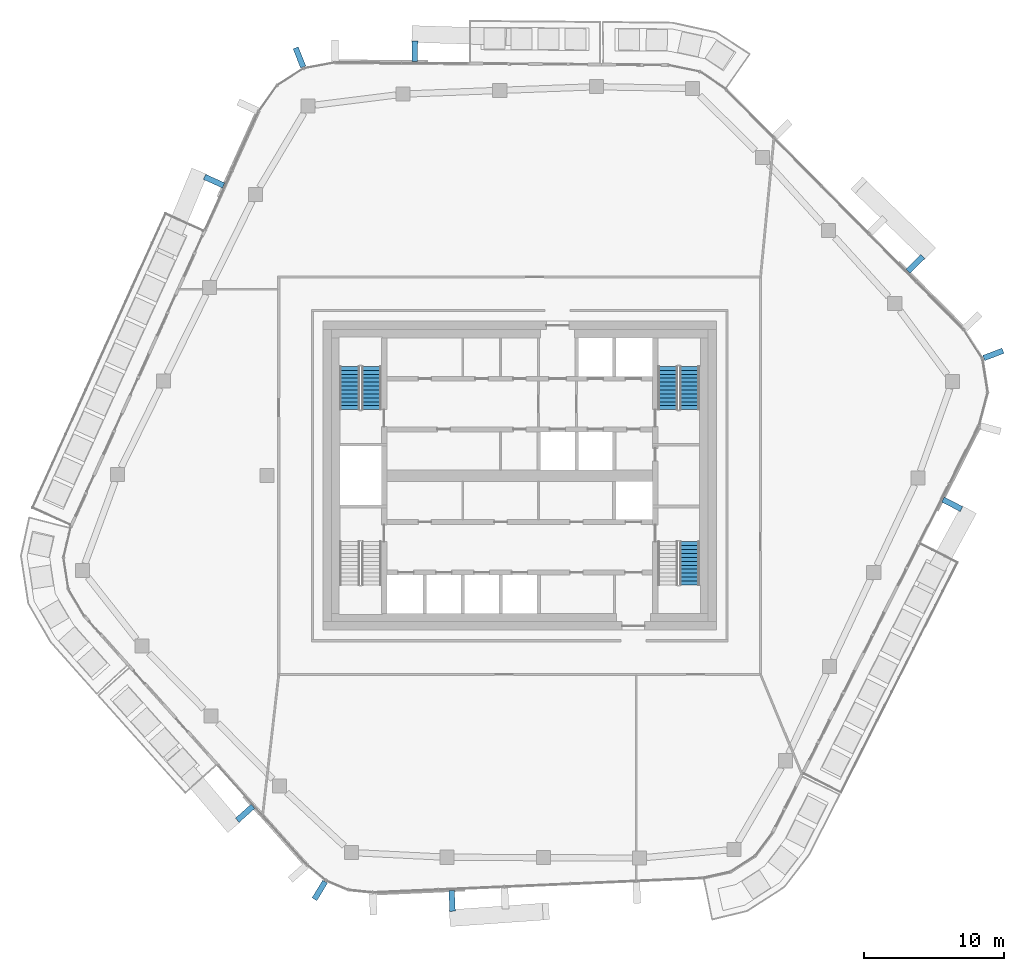
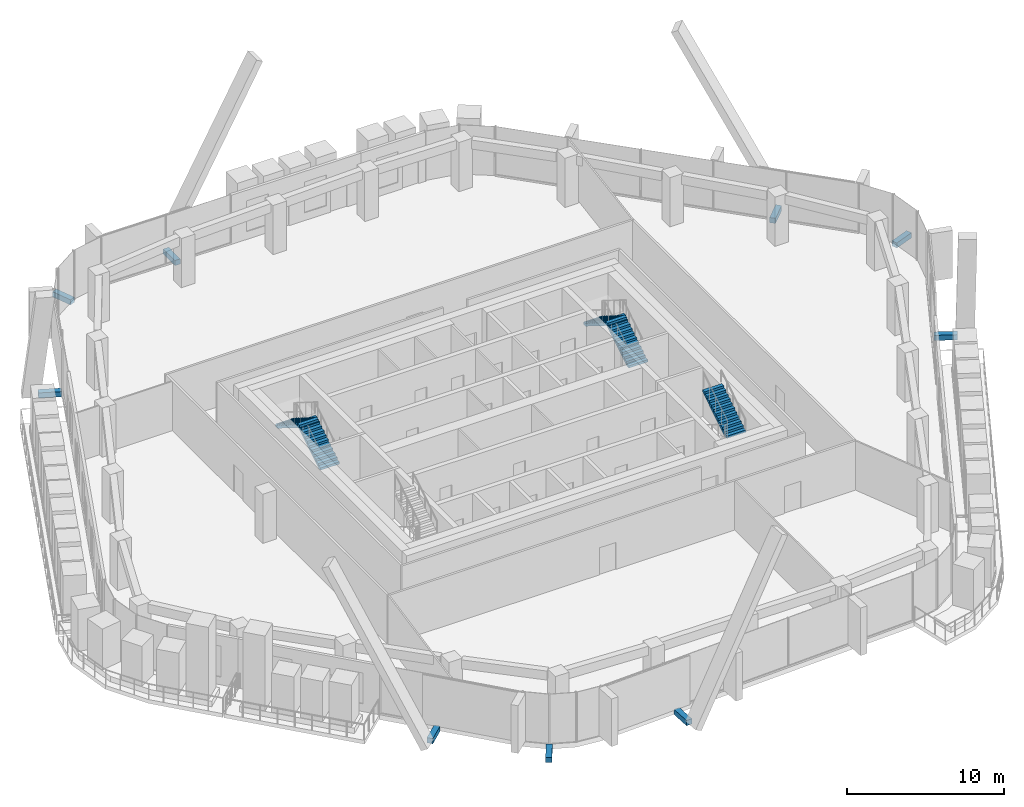
# One storey, part 16 of 23: 9 discrete accessories, 5 stair flights, 3 elements without a shape of their own.
"""IFC4 building model written with IfcOpenShell, lengths in metres."""

import ifcopenshell
import ifcopenshell.guid

model = None  # the IFC model being written
_history = None  # IfcOwnerHistory: only IFC2X3 demands one
_inside = {}  # id of a spatial element -> (the spatial element, [elements in it])
_under = {}  # id of a project, library or spatial element -> (it, [spatial elements below it])
_declared = {}  # id of a project -> (the project, [libraries it declares])
_typed = {}  # id of a type object -> (the type object, [elements of that type])
_made_of = {}  # id of a material, layer set ... -> (it, [elements and type objects made of it])


def new_model(schema):
    """Start an empty IFC model of exactly this schema.

    Asked for "IFC4X3", IfcOpenShell would pick the latest addendum, in which some entities
    have other attributes; the version numbers below select the first issue.
    IFC2X3 requires an IfcOwnerHistory on every rooted entity: one is made here for all.
    """
    global model, _history
    if schema == "IFC4X3":
        model = ifcopenshell.file(schema_version=(4, 3, 0, 0))
    else:
        model = ifcopenshell.file(schema=schema)
    _inside.clear()
    _under.clear()
    _declared.clear()
    _typed.clear()
    _made_of.clear()
    _history = None
    if model.schema == "IFC2X3":
        org = make("IfcOrganization", Name="unknown")
        user = make(
            "IfcPersonAndOrganization",
            ThePerson=make("IfcPerson", FamilyName="unknown"),
            TheOrganization=org,
        )
        app = make(
            "IfcApplication",
            ApplicationDeveloper=org,
            Version="unknown",
            ApplicationFullName="unknown",
            ApplicationIdentifier="unknown",
        )
        _history = make(
            "IfcOwnerHistory",
            OwningUser=user,
            OwningApplication=app,
            ChangeAction="ADDED",
            CreationDate=0,
        )
    return model


def make(cls, **values):
    """One entity of the class cls with the attributes given. An attribute that is None is left unset."""
    return model.create_entity(
        cls, **{name: value for name, value in values.items() if value is not None}
    )


def rooted(cls, **values):
    """An entity with a GlobalId (a new one), such as an element, a storey or a relation."""
    return make(cls, GlobalId=ifcopenshell.guid.new(), OwnerHistory=_history, **values)


def si_unit(unit_type, name, prefix=None):
    """IfcSIUnit, for example si_unit("LENGTHUNIT", "METRE", prefix="MILLI")."""
    return make("IfcSIUnit", UnitType=unit_type, Prefix=prefix, Name=name)


def assignment(units):
    """IfcUnitAssignment: the units of a project."""
    return None if units is None else make("IfcUnitAssignment", Units=units)


def point(xyz):
    """IfcCartesianPoint."""
    return None if xyz is None else make("IfcCartesianPoint", Coordinates=xyz)


def direction(xyz):
    """IfcDirection."""
    return None if xyz is None else make("IfcDirection", DirectionRatios=xyz)


def frame(location, z_axis=None, x_axis=None):
    """IfcAxis2Placement3D, a coordinate frame: its origin and axes. An axis left out is left unset."""
    return make(
        "IfcAxis2Placement3D",
        Location=point(location),
        Axis=direction(z_axis),
        RefDirection=direction(x_axis),
    )


def frame_2d(location, x_axis=None):
    """IfcAxis2Placement2D, a coordinate frame in the plane: its origin and x axis."""
    return make(
        "IfcAxis2Placement2D", Location=point(location), RefDirection=direction(x_axis)
    )


def origin():
    """The frame at (0, 0, 0) with its axes left unset."""
    return frame((0.0, 0.0, 0.0))


def origin_2d():
    """The frame at (0, 0) in the plane with its x axis left unset."""
    return frame_2d((0.0, 0.0))


def place(relative_to, where):
    """IfcLocalPlacement: puts the frame where relative to a parent placement (None: the world)."""
    return make(
        "IfcLocalPlacement", PlacementRelTo=relative_to, RelativePlacement=where
    )


def context(
    kind, dimensions, precision=None, world=None, true_north=None, identifier=None
):
    """IfcGeometricRepresentationContext, for example the 3D "Model" context."""
    return make(
        "IfcGeometricRepresentationContext",
        ContextIdentifier=identifier,
        ContextType=kind,
        CoordinateSpaceDimension=dimensions,
        Precision=precision,
        WorldCoordinateSystem=world,
        TrueNorth=true_north,
    )


def subcontext(parent, identifier, kind, view, scale=None):
    """IfcGeometricRepresentationSubContext, for example "Body" below "Model"."""
    return make(
        "IfcGeometricRepresentationSubContext",
        ContextIdentifier=identifier,
        ContextType=kind,
        ParentContext=parent,
        TargetScale=scale,
        TargetView=view,
    )


def project(units=None, contexts=None):
    """IfcProject with its units and contexts."""
    return rooted(
        "IfcProject",
        Name="project",
        RepresentationContexts=contexts,
        UnitsInContext=assignment(units),
    )


def spatial(cls, under=None, at=None, **own):
    """A site, building, storey or space (cls), placed at a placement, below another one or the project."""
    s = rooted(cls, ObjectPlacement=at, **own)
    if under is not None:
        _under.setdefault(under.id(), (under, []))[1].append(s)
    return s


def polyline(points):
    """IfcPolyline through the points."""
    return make("IfcPolyline", Points=[point(p) for p in points])


def profile(cls, at=None, kind="AREA", **sizes):
    """A parametric profile (cls). Its sizes go by their IFC names, for example OverallWidth=200.0."""
    return make(cls, ProfileType=kind, Position=at, **sizes)


def rectangle(**sizes):
    """IfcRectangleProfileDef."""
    return profile("IfcRectangleProfileDef", **sizes)


def outline(outer, holes=None, kind="AREA"):
    """IfcArbitraryClosedProfileDef: a profile drawn as a closed curve; with holes, ...WithVoids."""
    if holes is None:
        return make("IfcArbitraryClosedProfileDef", ProfileType=kind, OuterCurve=outer)
    return make(
        "IfcArbitraryProfileDefWithVoids",
        ProfileType=kind,
        OuterCurve=outer,
        InnerCurves=holes,
    )


def extrude(swept, where, along, depth):
    """IfcExtrudedAreaSolid: the profile swept, set in the frame where, extruded along a direction by depth."""
    return make(
        "IfcExtrudedAreaSolid",
        SweptArea=swept,
        Position=where,
        ExtrudedDirection=direction(along),
        Depth=depth,
    )


def shape(context_of_items, identifier, shape_type, items):
    """IfcShapeRepresentation: the items that make up one representation, for example the "Body"."""
    return make(
        "IfcShapeRepresentation",
        ContextOfItems=context_of_items,
        RepresentationIdentifier=identifier,
        RepresentationType=shape_type,
        Items=items,
    )


def material(Name=None, Category=None):
    """IfcMaterial."""
    return make("IfcMaterial", Name=Name, Category=Category)


def layer(
    of_material, thickness, ventilated=None, Name=None, Category=None, Priority=None
):
    """IfcMaterialLayer: one layer of a wall or slab, of a material (None: an air gap)."""
    return make(
        "IfcMaterialLayer",
        Material=of_material,
        LayerThickness=thickness,
        IsVentilated=ventilated,
        Name=Name,
        Category=Category,
        Priority=Priority,
    )


def layer_set(layers, Name=None):
    """IfcMaterialLayerSet."""
    return make("IfcMaterialLayerSet", MaterialLayers=layers, LayerSetName=Name)


def made_of(thing, what):
    """Note that an element or type object is made of a material, layer set ...; save() writes the relation."""
    if what is not None:
        _made_of.setdefault(what.id(), (what, []))[1].append(thing)
    return thing


def type_object(cls, material=None, **own):
    """A type object (cls), such as IfcWallType, which elements share."""
    return made_of(rooted(cls, **own), material)


def element(
    cls,
    number,
    at=None,
    inside=None,
    cuts=None,
    type_object=None,
    material=None,
    context=None,
    identifier="Body",
    shape_type=None,
    held_by="IfcProductDefinitionShape",
    body=None,
    shapes=None,
    **own,
):
    """One element of the class cls, such as IfcWall. Its Tag is "e" and its number.

    at: its placement. inside: the storey or other place that contains it. cuts: it is an
    opening in that element (IfcRelVoidsElement). A single representation is given by context,
    identifier, shape_type and body (its items); several are given by shapes. held_by: the class
    of the entity that holds the representations. save() writes the other relations.
    """
    e = rooted(cls, Tag="e%d" % number, ObjectPlacement=at, **own)
    if body is not None:
        shapes = [shape(context, identifier, shape_type, body)]
    if shapes is not None:
        e.Representation = make(held_by, Representations=shapes)
    if inside is not None:
        _inside.setdefault(inside.id(), (inside, []))[1].append(e)
    if cuts is not None:
        rooted(
            "IfcRelVoidsElement", RelatingBuildingElement=cuts, RelatedOpeningElement=e
        )
    if type_object is not None:
        _typed.setdefault(type_object.id(), (type_object, []))[1].append(e)
    return made_of(e, material)


def aggregate(whole, parts):
    """IfcRelAggregates: a whole, such as a stair, and the parts it consists of."""
    return rooted("IfcRelAggregates", RelatingObject=whole, RelatedObjects=parts)


def save(model, path):
    """Write the relations noted so far, then the file.

    IfcRelAggregates (storeys below a building ...), IfcRelContainedInSpatialStructure (elements
    in a storey), IfcRelDefinesByType, IfcRelAssociatesMaterial and IfcRelDeclares: one each for
    every whole, place, type object, material and project.
    """
    for whole, parts in _under.values():
        aggregate(whole, parts)
    for where, things in _inside.values():
        rooted(
            "IfcRelContainedInSpatialStructure",
            RelatedElements=things,
            RelatingStructure=where,
        )
    for kind, things in _typed.values():
        rooted("IfcRelDefinesByType", RelatedObjects=things, RelatingType=kind)
    for what, things in _made_of.values():
        rooted("IfcRelAssociatesMaterial", RelatedObjects=things, RelatingMaterial=what)
    for by, libraries in _declared.values():
        rooted("IfcRelDeclares", RelatingContext=by, RelatedDefinitions=libraries)
    model.write(path)


model = new_model("IFC4")

# Units and contexts
model_context = context("Model", 3, precision=1e-05, world=origin(), true_north=direction((0.0, 1.0)))
body_context = subcontext(model_context, "Body", "Model", "MODEL_VIEW")
ifc_project = project(units=[si_unit("LENGTHUNIT", "METRE"), si_unit("AREAUNIT", "SQUARE_METRE"), si_unit("VOLUMEUNIT", "CUBIC_METRE"), si_unit("PLANEANGLEUNIT", "RADIAN"), si_unit("MASSUNIT", "GRAM", prefix="KILO")], contexts=[model_context])

# Site, building, storey
site_placement = place(None, origin())
site = spatial("IfcSite", under=ifc_project, at=site_placement, CompositionType="ELEMENT")
building_placement = place(site_placement, origin())
building = spatial("IfcBuilding", under=site, at=building_placement, Name="Dongbaek Canopy Tower", CompositionType="ELEMENT")
storey_placement = place(building_placement, frame((0.0, 0.0, 327.800048828125)))
storey = spatial("IfcBuildingStorey", under=building, at=storey_placement, Name="L70", CompositionType="ELEMENT", Elevation=327.800048828125)

# Stair, stair flights
ifc_material_1 = material(Name="Concrete C40/50", Category="concrete")
stair_type = type_object("IfcStairType", Name="Core exit stair", PredefinedType="HALF_TURN_STAIR", material=ifc_material_1)
stair_1_placement = place(storey_placement, origin())
stair_1 = element("IfcStair", 1, at=stair_1_placement, inside=storey, type_object=stair_type, Name="L70 exit stair A", PredefinedType="HALF_TURN_STAIR")
ifc_material_2 = material(Name="Concrete C40/50", Category="concrete")
ifc_layer = layer(ifc_material_2, 0.14990234375)
ifc_layer_set = layer_set([ifc_layer], Name="Core stair flight 150 waist")
stair_flight_type = type_object("IfcStairFlightType", Name="Core stair flight 150 waist", PredefinedType="STRAIGHT", material=ifc_layer_set)
stair_flight_1_placement = place(storey_placement, frame((12.10009765625, 4.699951171875, 0.0), z_axis=(0.0, 0.0, 1.0), x_axis=(0.0, 1.0, 0.0)))
stair_flight_1 = element("IfcStairFlight", 2, at=stair_flight_1_placement, type_object=stair_flight_type, Name="ST-A flight 1", NumberOfRisers=12, NumberOfTreads=11, PredefinedType="STRAIGHT", RiserHeight=0.175, TreadLength=0.28, context=body_context, shape_type="SweptSolid", body=[
    extrude(outline(polyline([(0.0, 0.0), (0.0, 0.175048828125), (0.280029296875, 0.175048828125), (0.280029296875, 0.35009765625), (0.56005859375, 0.35009765625), (0.56005859375, 0.52490234375), (0.840087890625, 0.52490234375), (0.840087890625, 0.699951171875), (1.1201171875, 0.699951171875), (1.1201171875, 0.875), (1.39990234375, 0.875), (1.39990234375, 1.050048828125), (1.679931640625, 1.050048828125), (1.679931640625, 1.22509765625), (1.9599609375, 1.22509765625), (1.9599609375, 1.39990234375), (2.239990234375, 1.39990234375), (2.239990234375, 1.574951171875), (2.52001953125, 1.574951171875), (2.52001953125, 1.75), (2.800048828125, 1.75), (2.800048828125, 1.925048828125), (3.080078125, 1.925048828125), (3.080078125, 2.10009765625), (3.080078125, 1.748291015625), (0.28271484375, 0.0), (0.0, 0.0)])), frame((0.0, 0.699951171875, 0.0), z_axis=(0.0, -1.0, 0.0), x_axis=(1.0, 0.0, 0.0)), (0.0, 0.0, 1.0), 1.39990234375),
])
stair_flight_2_placement = place(storey_placement, frame((10.550048828125, 7.780029296875, 2.099853515625), z_axis=(0.0, 0.0, 1.0), x_axis=(0.0, -1.0, 0.0)))
stair_flight_2 = element("IfcStairFlight", 3, at=stair_flight_2_placement, type_object=stair_flight_type, Name="ST-A flight 2", NumberOfRisers=12, NumberOfTreads=11, PredefinedType="STRAIGHT", RiserHeight=0.175, TreadLength=0.28, context=body_context, shape_type="SweptSolid", body=[
    extrude(outline(polyline([(0.0, 0.0), (0.0, 0.175048828125), (0.280029296875, 0.175048828125), (0.280029296875, 0.35009765625), (0.56005859375, 0.35009765625), (0.56005859375, 0.52490234375), (0.840087890625, 0.52490234375), (0.840087890625, 0.699951171875), (1.1201171875, 0.699951171875), (1.1201171875, 0.875), (1.39990234375, 0.875), (1.39990234375, 1.050048828125), (1.679931640625, 1.050048828125), (1.679931640625, 1.22509765625), (1.9599609375, 1.22509765625), (1.9599609375, 1.39990234375), (2.239990234375, 1.39990234375), (2.239990234375, 1.574951171875), (2.52001953125, 1.574951171875), (2.52001953125, 1.75), (2.800048828125, 1.75), (2.800048828125, 1.925048828125), (3.080078125, 1.925048828125), (3.080078125, 2.10009765625), (3.080078125, 1.748291015625), (0.28271484375, 0.0), (0.0, 0.0)])), frame((0.0, 0.699951171875, 0.0), z_axis=(0.0, -1.0, 0.0), x_axis=(1.0, 0.0, 0.0)), (0.0, 0.0, 1.0), 1.39990234375),
])
aggregate(stair_1, [stair_flight_1, stair_flight_2])

stair_2_placement = place(storey_placement, origin())
stair_2 = element("IfcStair", 4, at=stair_2_placement, inside=storey, type_object=stair_type, Name="L70 exit stair C", PredefinedType="HALF_TURN_STAIR")
stair_flight_3_placement = place(storey_placement, frame((-10.550048828125, 4.699951171875, 0.0), z_axis=(0.0, 0.0, 1.0), x_axis=(0.0, 1.0, 0.0)))
stair_flight_3 = element("IfcStairFlight", 5, at=stair_flight_3_placement, type_object=stair_flight_type, Name="ST-C flight 1", NumberOfRisers=12, NumberOfTreads=11, PredefinedType="STRAIGHT", RiserHeight=0.175, TreadLength=0.28, context=body_context, shape_type="SweptSolid", body=[
    extrude(outline(polyline([(0.0, 0.0), (0.0, 0.175048828125), (0.280029296875, 0.175048828125), (0.280029296875, 0.35009765625), (0.56005859375, 0.35009765625), (0.56005859375, 0.52490234375), (0.840087890625, 0.52490234375), (0.840087890625, 0.699951171875), (1.1201171875, 0.699951171875), (1.1201171875, 0.875), (1.39990234375, 0.875), (1.39990234375, 1.050048828125), (1.679931640625, 1.050048828125), (1.679931640625, 1.22509765625), (1.9599609375, 1.22509765625), (1.9599609375, 1.39990234375), (2.239990234375, 1.39990234375), (2.239990234375, 1.574951171875), (2.52001953125, 1.574951171875), (2.52001953125, 1.75), (2.800048828125, 1.75), (2.800048828125, 1.925048828125), (3.080078125, 1.925048828125), (3.080078125, 2.10009765625), (3.080078125, 1.748291015625), (0.28271484375, 0.0), (0.0, 0.0)])), frame((0.0, 0.699951171875, 0.0), z_axis=(0.0, -1.0, 0.0), x_axis=(1.0, 0.0, 0.0)), (0.0, 0.0, 1.0), 1.39990234375),
])
stair_flight_4_placement = place(storey_placement, frame((-12.10009765625, 7.780029296875, 2.099853515625), z_axis=(0.0, 0.0, 1.0), x_axis=(0.0, -1.0, 0.0)))
stair_flight_4 = element("IfcStairFlight", 6, at=stair_flight_4_placement, type_object=stair_flight_type, Name="ST-C flight 2", NumberOfRisers=12, NumberOfTreads=11, PredefinedType="STRAIGHT", RiserHeight=0.175, TreadLength=0.28, context=body_context, shape_type="SweptSolid", body=[
    extrude(outline(polyline([(0.0, 0.0), (0.0, 0.175048828125), (0.280029296875, 0.175048828125), (0.280029296875, 0.35009765625), (0.56005859375, 0.35009765625), (0.56005859375, 0.52490234375), (0.840087890625, 0.52490234375), (0.840087890625, 0.699951171875), (1.1201171875, 0.699951171875), (1.1201171875, 0.875), (1.39990234375, 0.875), (1.39990234375, 1.050048828125), (1.679931640625, 1.050048828125), (1.679931640625, 1.22509765625), (1.9599609375, 1.22509765625), (1.9599609375, 1.39990234375), (2.239990234375, 1.39990234375), (2.239990234375, 1.574951171875), (2.52001953125, 1.574951171875), (2.52001953125, 1.75), (2.800048828125, 1.75), (2.800048828125, 1.925048828125), (3.080078125, 1.925048828125), (3.080078125, 2.10009765625), (3.080078125, 1.748291015625), (0.28271484375, 0.0), (0.0, 0.0)])), frame((0.0, 0.699951171875, 0.0), z_axis=(0.0, -1.0, 0.0), x_axis=(1.0, 0.0, 0.0)), (0.0, 0.0, 1.0), 1.39990234375),
])
aggregate(stair_2, [stair_flight_3, stair_flight_4])

# Stair, stair flight
stair_3_placement = place(storey_placement, origin())
stair_3 = element("IfcStair", 7, at=stair_3_placement, inside=storey, type_object=stair_type, Name="L70 exit stair B", PredefinedType="HALF_TURN_STAIR")
stair_flight_5_placement = place(storey_placement, frame((12.10009765625, -7.780029296875, 2.099853515625), z_axis=(0.0, 0.0, 1.0), x_axis=(0.0, 1.0, 0.0)))
stair_flight_5 = element("IfcStairFlight", 8, at=stair_flight_5_placement, type_object=stair_flight_type, Name="ST-B flight 2", NumberOfRisers=12, NumberOfTreads=11, PredefinedType="STRAIGHT", RiserHeight=0.175, TreadLength=0.28, context=body_context, shape_type="SweptSolid", body=[
    extrude(outline(polyline([(0.0, 0.0), (0.0, 0.175048828125), (0.280029296875, 0.175048828125), (0.280029296875, 0.35009765625), (0.56005859375, 0.35009765625), (0.56005859375, 0.52490234375), (0.840087890625, 0.52490234375), (0.840087890625, 0.699951171875), (1.1201171875, 0.699951171875), (1.1201171875, 0.875), (1.39990234375, 0.875), (1.39990234375, 1.050048828125), (1.679931640625, 1.050048828125), (1.679931640625, 1.22509765625), (1.9599609375, 1.22509765625), (1.9599609375, 1.39990234375), (2.239990234375, 1.39990234375), (2.239990234375, 1.574951171875), (2.52001953125, 1.574951171875), (2.52001953125, 1.75), (2.800048828125, 1.75), (2.800048828125, 1.925048828125), (3.080078125, 1.925048828125), (3.080078125, 2.10009765625), (3.080078125, 1.748291015625), (0.28271484375, 0.0), (0.0, 0.0)])), frame((0.0, 0.699951171875, 0.0), z_axis=(0.0, -1.0, 0.0), x_axis=(1.0, 0.0, 0.0)), (0.0, 0.0, 1.0), 1.39990234375),
])
aggregate(stair_3, [stair_flight_5])

# Discrete accessories
ifc_material_3 = material(Name="Galvanised steel S355 bracket", Category="steel")
discrete_accessory_type = type_object("IfcDiscreteAccessoryType", Name="Crease fin bracket BR3 400", PredefinedType="BRACKET", material=ifc_material_3)
for number, where, z_axis, x_axis, name in (
    (9, (30.795166015625, -2.041259765625, -0.389892578125), (0.0, 0.0, 1.0), (0.892033512775, -0.451969260113, 0.0), "Crease fin bracket L70 F5"),
    (10, (28.176025390625, 15.0751953125, -0.389892578125), (0.0, 0.0, 1.0), (0.711035143787, 0.703156472132, 0.0), "Crease fin bracket L70 F0"),
    (11, (-7.459716796875, 30.2158203125, -0.389892578125), (0.0, 0.0, 1.0), (0.007782344576, 0.999969717098, 0.0), "Crease fin bracket L70 F1"),
    (12, (-21.756103515625, 20.966796875, -0.389892578125), (0.0, 0.0, 1.0), (-0.911128710978, 0.41212191404, 0.0), "Crease fin bracket L70 F2"),
    (13, (-19.54736328125, -24.03857421875, -0.389892578125), (0.0, 0.0, 1.0), (-0.74516531268, -0.666879791851, 0.0), "Crease fin bracket L70 F3"),
    (14, (-4.811767578125, -30.267333984375, -0.389892578125), (0.0, 0.0, 1.0), (0.043572308279, -0.999050275988, 0.0), "Crease fin bracket L70 F4"),
):
    element("IfcDiscreteAccessory", number, at=place(storey_placement, frame(where, z_axis=z_axis, x_axis=x_axis)), inside=storey, type_object=discrete_accessory_type, Name=name, PredefinedType="BRACKET", context=body_context, shape_type="SweptSolid", body=[
        extrude(rectangle(XDim=1.489990234375, YDim=0.39990234375, at=origin_2d()), origin(), (0.0, 0.0, 1.0), 0.39990234375),
    ])
for number, where, z_axis, x_axis, name in (
    (15, (33.7236328125, 8.63330078125, -0.389892578125), (0.0, 0.0, 1.0), (0.93463651149, 0.355604543544, 0.0), "Corner fin bracket L70 K0"),
    (16, (-15.6787109375, 29.777587890625, -0.389892578125), (0.0, 0.0, 1.0), (-0.367962270469, 0.929840721582, 0.0), "Corner fin bracket L70 K2"),
    (17, (-14.2294921875, -29.52978515625, -0.389892578125), (0.0, 0.0, 1.0), (-0.519267057557, -0.854612030652, 0.0), "Corner fin bracket L70 K4"),
):
    element("IfcDiscreteAccessory", number, at=place(storey_placement, frame(where, z_axis=z_axis, x_axis=x_axis)), inside=storey, type_object=discrete_accessory_type, Name=name, PredefinedType="BRACKET", context=body_context, shape_type="SweptSolid", body=[
        extrude(rectangle(XDim=1.469970703125, YDim=0.39990234375, at=origin_2d()), origin(), (0.0, 0.0, 1.0), 0.39990234375),
    ])

save(model, "model.ifc")
